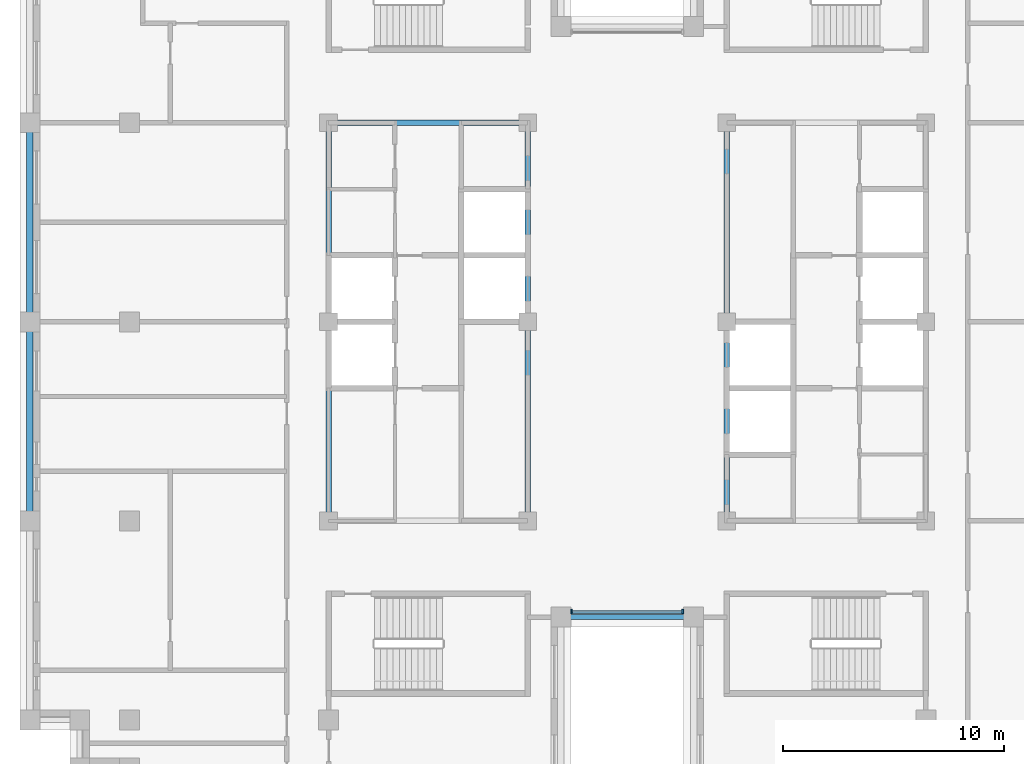
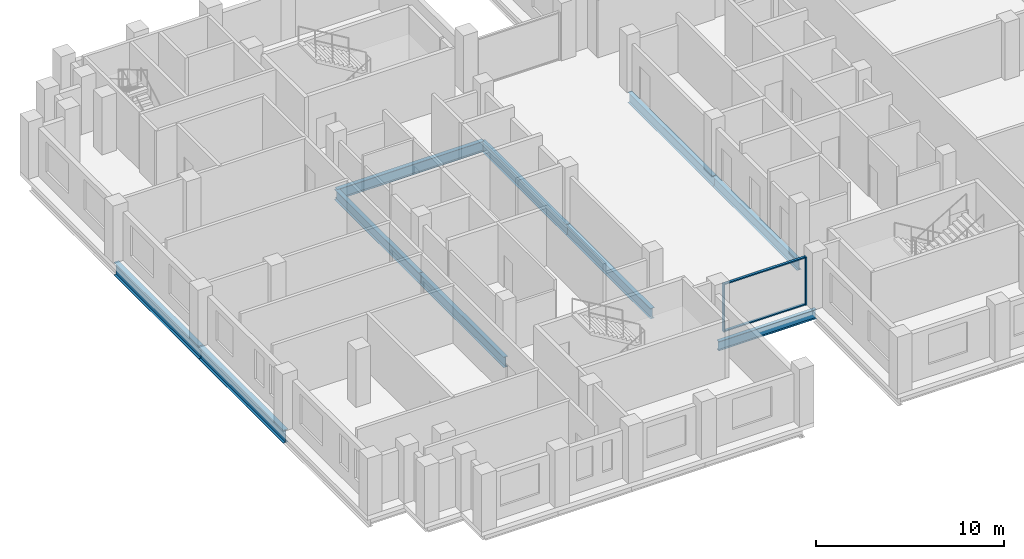
# One storey, part 2 of 13: 10 beams, 4 members, 1 element without a shape of its own.
"""IFC4 building model written with IfcOpenShell, lengths in metres."""

from ifc_helpers import new_model, si_unit, direction, frame, origin, origin_2d, place, context, subcontext, project, spatial, rectangle, i_section, extrude, material, layer, layer_set, material_profile, profile_set, type_object, element, aggregate, save


model = new_model("IFC4")

# Units and contexts
model_context = context("Model", 3, precision=1e-05, world=origin(), true_north=direction((0.0, 1.0)))
body_context = subcontext(model_context, "Body", "Model", "MODEL_VIEW")
ifc_project = project(units=[si_unit("LENGTHUNIT", "METRE"), si_unit("AREAUNIT", "SQUARE_METRE"), si_unit("VOLUMEUNIT", "CUBIC_METRE"), si_unit("PLANEANGLEUNIT", "RADIAN"), si_unit("MASSUNIT", "GRAM", prefix="KILO")], contexts=[model_context])

# Site, building, storey
site_placement = place(None, origin())
site = spatial("IfcSite", under=ifc_project, at=site_placement, CompositionType="ELEMENT")
building_placement = place(site_placement, origin())
building = spatial("IfcBuilding", under=site, at=building_placement, Name="Corbelhall Arena Tower", CompositionType="ELEMENT")
storey_placement = place(building_placement, frame((0.0, 0.0, 278.0)))
storey = spatial("IfcBuildingStorey", under=building, at=storey_placement, Name="L60", CompositionType="ELEMENT", Elevation=278.0)

# Curtain wall, members
ifc_material_1 = material(Name="Aluminium black anodised", Category="aluminium")
ifc_layer = layer(ifc_material_1, 0.199951171875)
ifc_layer_set = layer_set([ifc_layer], Name="EV-CW1 Slot back wall")
curtain_wall_type = type_object("IfcCurtainWallType", Name="EV-CW1 Slot back wall", PredefinedType="NOTDEFINED", material=ifc_layer_set)
curtain_wall_placement = place(storey_placement, origin())
curtain_wall = element("IfcCurtainWall", 1, at=curtain_wall_placement, inside=storey, type_object=curtain_wall_type, Name="Curtain wall CW1", PredefinedType="NOTDEFINED")
ifc_material_profile_1 = material_profile(ifc_material_1, rectangle(XDim=0.199951171875, YDim=0.074951171875, at=origin_2d()))
ifc_profile_set_1 = profile_set([ifc_material_profile_1], Name="Aluminium black anodised")
member_type_1 = type_object("IfcMemberType", Name="EV-CW1-MULLION", PredefinedType="MULLION", material=ifc_profile_set_1)
member_1_placement = place(storey_placement, frame((-2.512451171875, -13.10009765625, 0.0), z_axis=(0.0, 0.0, 1.0), x_axis=(0.0, 1.0, 0.0)))
member_1 = element("IfcMember", 2, at=member_1_placement, type_object=member_type_1, Name="CW1 mullion 1", PredefinedType="MULLION", context=body_context, shape_type="SweptSolid", body=[
    extrude(rectangle(XDim=0.199951171875, YDim=0.074951171875, at=origin_2d()), origin(), (0.0, 0.0, 1.0), 3.1201171875),
])
member_2_placement = place(storey_placement, frame((2.512451171875, -13.10009765625, 0.0), z_axis=(0.0, 0.0, 1.0), x_axis=(0.0, 1.0, 0.0)))
member_2 = element("IfcMember", 3, at=member_2_placement, type_object=member_type_1, Name="CW1 mullion 2", PredefinedType="MULLION", context=body_context, shape_type="SweptSolid", body=[
    extrude(rectangle(XDim=0.199951171875, YDim=0.074951171875, at=origin_2d()), origin(), (0.0, 0.0, 1.0), 3.1201171875),
])
ifc_material_profile_2 = material_profile(ifc_material_1, rectangle(XDim=0.14990234375, YDim=0.074951171875, at=origin_2d()))
ifc_profile_set_2 = profile_set([ifc_material_profile_2], Name="Aluminium black anodised")
member_type_2 = type_object("IfcMemberType", Name="EV-CW1-TRANSOM", PredefinedType="USERDEFINED", material=ifc_profile_set_2)
member_3_placement = place(storey_placement, frame((-2.47509765625, -13.10009765625, 0.03759765625), z_axis=(1.0, 0.0, 0.0), x_axis=(0.0, 1.0, 0.0)))
member_3 = element("IfcMember", 4, at=member_3_placement, type_object=member_type_2, Name="CW1 transom 1.1", ObjectType="transom", PredefinedType="USERDEFINED", context=body_context, shape_type="SweptSolid", body=[
    extrude(rectangle(XDim=0.14990234375, YDim=0.074951171875, at=origin_2d()), origin(), (0.0, 0.0, 1.0), 4.9501953125),
])
member_4_placement = place(storey_placement, frame((-2.47509765625, -13.10009765625, 3.08251953125), z_axis=(1.0, 0.0, 0.0), x_axis=(0.0, 1.0, 0.0)))
member_4 = element("IfcMember", 5, at=member_4_placement, type_object=member_type_2, Name="CW1 transom 1.2", ObjectType="transom", PredefinedType="USERDEFINED", context=body_context, shape_type="SweptSolid", body=[
    extrude(rectangle(XDim=0.14990234375, YDim=0.074951171875, at=origin_2d()), origin(), (0.0, 0.0, 1.0), 4.9501953125),
])
aggregate(curtain_wall, [member_1, member_2, member_3, member_4])

# Beams
ifc_material_2 = material(Name="Steel ASTM A992 Gr50", Category="steel")
ifc_material_profile_3 = material_profile(ifc_material_2, i_section(OverallWidth=0.25390625, OverallDepth=0.67822265625, WebThickness=0.01171875, FlangeThickness=0.016357421875, at=origin_2d()))
ifc_profile_set_3 = profile_set([ifc_material_profile_3], Name="Steel ASTM A992 Gr50")
beam_type_1 = type_object("IfcBeamType", Name="ST-BEAM-W27x84", PredefinedType="BEAM", material=ifc_profile_set_3)
for number, where, z_axis, x_axis, name in (
    (6, (-13.5, -9.0, -0.619140625), (0.0, 1.0, 0.0), (-1.0, 0.0, 0.0), "Beam CEW 1"),
    (7, (-13.5, 0.0, -0.619140625), (0.0, 1.0, 0.0), (-1.0, 0.0, 0.0), "Beam CEW 2"),
    (8, (-4.5, -9.0, -0.619140625), (0.0, 1.0, 0.0), (-1.0, 0.0, 0.0), "Beam CEW 3"),
    (9, (-4.5, 0.0, -0.619140625), (0.0, 1.0, 0.0), (-1.0, 0.0, 0.0), "Beam CEW 4"),
    (10, (-13.5, 9.0, -0.619140625), (1.0, 0.0, 0.0), (0.0, 1.0, 0.0), "Beam CEW 6"),
    (11, (4.5, -9.0, -0.619140625), (0.0, 1.0, 0.0), (-1.0, 0.0, 0.0), "Beam CEE 7"),
    (12, (4.5, 0.0, -0.619140625), (0.0, 1.0, 0.0), (-1.0, 0.0, 0.0), "Beam CEE 8"),
):
    element("IfcBeam", number, at=place(storey_placement, frame(where, z_axis=z_axis, x_axis=x_axis)), inside=storey, type_object=beam_type_1, Name=name, PredefinedType="BEAM", context=body_context, shape_type="SweptSolid", body=[
        extrude(i_section(OverallWidth=0.25390625, OverallDepth=0.67822265625, WebThickness=0.01171875, FlangeThickness=0.016357421875, at=origin_2d()), origin(), (0.0, 0.0, 1.0), 9.0),
    ])
ifc_material_profile_4 = material_profile(ifc_material_2, i_section(OverallWidth=0.227783203125, OverallDepth=0.60205078125, WebThickness=0.010498046875, FlangeThickness=0.014892578125, at=origin_2d()))
ifc_profile_set_4 = profile_set([ifc_material_profile_4], Name="Steel ASTM A992 Gr50")
beam_type_2 = type_object("IfcBeamType", Name="ST-SPANDREL-W24x68", PredefinedType="SPANDREL", material=ifc_profile_set_4)
beam_placement = place(storey_placement, frame((3.0, -13.35009765625, -0.5810546875), z_axis=(-1.0, 0.0, 0.0), x_axis=(0.0, -1.0, 0.0)))
element("IfcBeam", 13, at=beam_placement, inside=storey, type_object=beam_type_2, Name="Beam SP 33", PredefinedType="SPANDREL", context=body_context, shape_type="SweptSolid", body=[
    extrude(i_section(OverallWidth=0.227783203125, OverallDepth=0.60205078125, WebThickness=0.010498046875, FlangeThickness=0.014892578125, at=origin_2d()), origin(), (0.0, 0.0, 1.0), 6.0),
])
ifc_material_profile_5 = material_profile(ifc_material_2, i_section(OverallWidth=0.2919921875, OverallDepth=0.845703125, WebThickness=0.015380859375, FlangeThickness=0.0244140625, at=origin_2d()))
ifc_profile_set_5 = profile_set([ifc_material_profile_5], Name="Steel ASTM A992 Gr50")
beam_type_3 = type_object("IfcBeamType", Name="ST-SPANDREL-W33x141", PredefinedType="SPANDREL", material=ifc_profile_set_5)
for number, where, z_axis, x_axis, name in (
    (14, (-27.0, 0.0, -0.702880859375), (0.0, 1.0, 0.0), (-1.0, 0.0, 0.0), "Beam SP 26"),
    (15, (-27.0, -9.0, -0.702880859375), (0.0, 1.0, 0.0), (-1.0, 0.0, 0.0), "Beam SP 29"),
):
    element("IfcBeam", number, at=place(storey_placement, frame(where, z_axis=z_axis, x_axis=x_axis)), inside=storey, type_object=beam_type_3, Name=name, PredefinedType="SPANDREL", context=body_context, shape_type="SweptSolid", body=[
        extrude(i_section(OverallWidth=0.2919921875, OverallDepth=0.845703125, WebThickness=0.015380859375, FlangeThickness=0.0244140625, at=origin_2d()), origin(), (0.0, 0.0, 1.0), 9.0),
    ])

save(model, "model.ifc")
